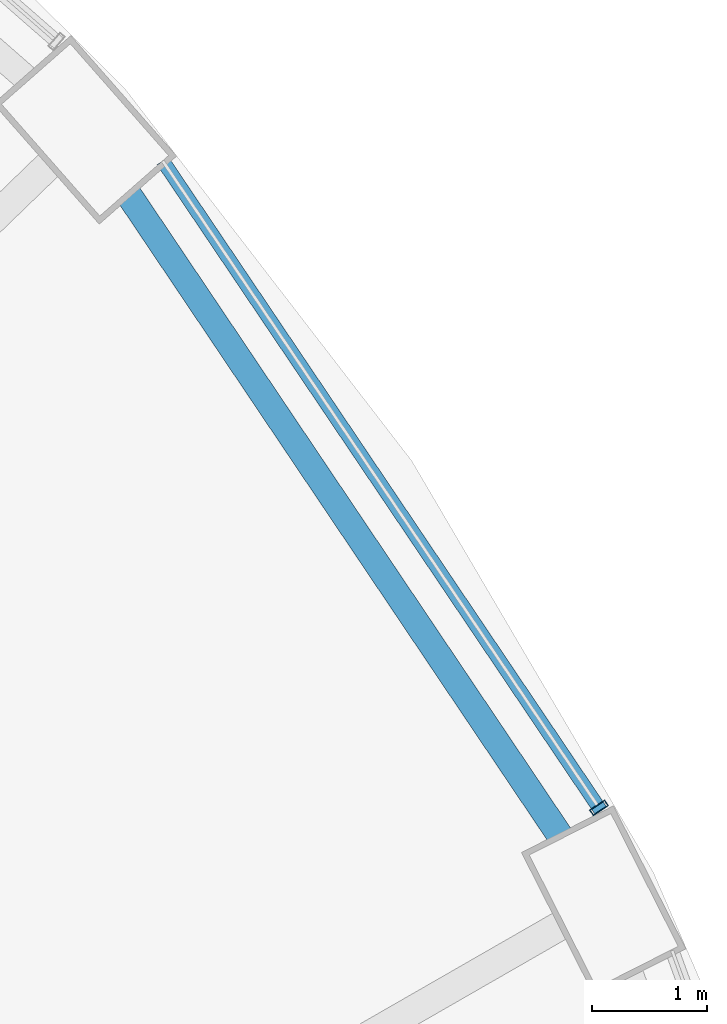
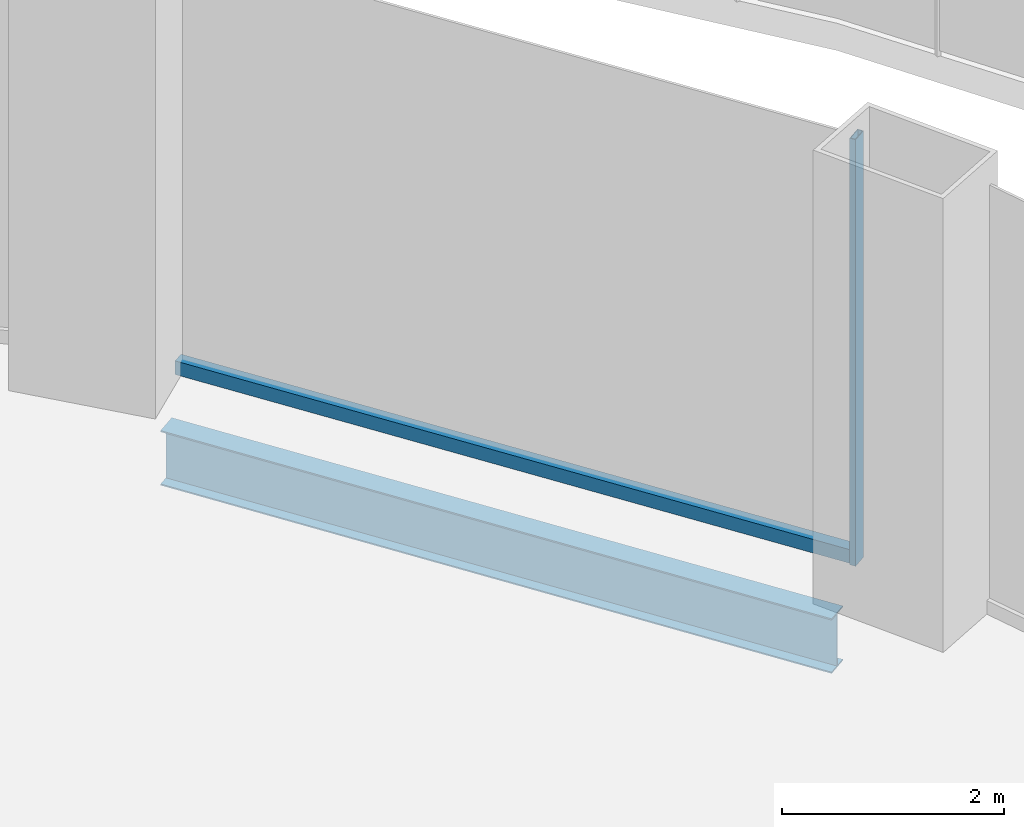
# One storey, part 23 of 47: 2 members, 1 beam, 1 element without a shape of its own.
"""IFC4 building model written with IfcOpenShell, lengths in metres."""

from ifc_helpers import new_model, si_unit, direction, frame, origin, origin_2d, place, context, subcontext, project, spatial, hollow_rectangle, i_section, extrude, material, layer, layer_set, material_profile, profile_set, type_object, element, aggregate, save


model = new_model("IFC4")

# Units and contexts
model_context = context("Model", 3, precision=1e-05, world=origin(), true_north=direction((0.0, 1.0)))
body_context = subcontext(model_context, "Body", "Model", "MODEL_VIEW")
ifc_project = project(units=[si_unit("LENGTHUNIT", "METRE"), si_unit("AREAUNIT", "SQUARE_METRE"), si_unit("VOLUMEUNIT", "CUBIC_METRE"), si_unit("PLANEANGLEUNIT", "RADIAN"), si_unit("MASSUNIT", "GRAM", prefix="KILO")], contexts=[model_context])

# Site, building, storey
site_placement = place(None, origin())
site = spatial("IfcSite", under=ifc_project, at=site_placement, CompositionType="ELEMENT")
building_placement = place(site_placement, origin())
building = spatial("IfcBuilding", under=site, at=building_placement, Name="Nagisa Residences", CompositionType="ELEMENT")
storey_placement = place(building_placement, frame((0.0, 0.0, 17.0)))
storey = spatial("IfcBuildingStorey", under=building, at=storey_placement, Name="L03", CompositionType="ELEMENT", Elevation=17.0)

# Curtain wall, members
ifc_material_1 = material(Name="Stainless steel curtain wall system", Category="steel")
ifc_layer = layer(ifc_material_1, 0.159912109375)
ifc_layer_set = layer_set([ifc_layer], Name="CW6 CURTAIN WALL")
curtain_wall_type = type_object("IfcCurtainWallType", Name="CW6 CURTAIN WALL", PredefinedType="NOTDEFINED", material=ifc_layer_set)
curtain_wall_placement = place(storey_placement, origin())
curtain_wall = element("IfcCurtainWall", 1, at=curtain_wall_placement, inside=storey, type_object=curtain_wall_type, Name="cw:CW6:L03:04", PredefinedType="NOTDEFINED")
ifc_material_2 = material(Name="Stainless steel", Category="steel")
ifc_material_profile_1 = material_profile(ifc_material_2, hollow_rectangle(XDim=0.159912109375, YDim=0.06005859375, WallThickness=0.006103515625, at=origin_2d()), Name="CW6 MULLION 160x60")
ifc_profile_set_1 = profile_set([ifc_material_profile_1], Name="Stainless steel")
member_type_1 = type_object("IfcMemberType", Name="CW6 MULLION 160x60", PredefinedType="MULLION", material=ifc_profile_set_1)
member_1_placement = place(storey_placement, frame((28.240234375, 17.060546875, 0.0), z_axis=(0.0, 0.0, 1.0), x_axis=(-0.829110926393, -0.559084136544, 0.0)))
member_1 = element("IfcMember", 2, at=member_1_placement, type_object=member_type_1, Name="CW6 mullion", PredefinedType="MULLION", context=body_context, shape_type="SweptSolid", body=[
    extrude(hollow_rectangle(XDim=0.159912109375, YDim=0.06005859375, WallThickness=0.006103515625, at=origin_2d()), origin(), (0.0, 0.0, 1.0), 4.699951171875),
])
ifc_material_3 = material(Name="Stainless steel", Category="steel")
ifc_material_profile_2 = material_profile(ifc_material_3, hollow_rectangle(XDim=0.1201171875, YDim=0.14990234375, WallThickness=0.008056640625, at=origin_2d()), Name="CW6 TRANSOM 120x150")
ifc_profile_set_2 = profile_set([ifc_material_profile_2], Name="Stainless steel")
member_type_2 = type_object("IfcMemberType", Name="CW6 TRANSOM 120x150", PredefinedType="USERDEFINED", material=ifc_profile_set_2)
member_2_placement = place(storey_placement, frame((28.257080078125, 17.03564453125, 0.074951171875), z_axis=(-0.559080645991, 0.829113280124, 0.0), x_axis=(-0.829113280124, -0.559080645991, 0.0)))
member_2 = element("IfcMember", 3, at=member_2_placement, type_object=member_type_2, Name="CW6 transom", ObjectType="TRANSOM", PredefinedType="USERDEFINED", context=body_context, shape_type="SweptSolid", body=[
    extrude(hollow_rectangle(XDim=0.1201171875, YDim=0.14990234375, WallThickness=0.008056640625, at=origin_2d()), origin(), (0.0, 0.0, 1.0), 6.84326171875),
])
aggregate(curtain_wall, [member_1, member_2])

# Beam
ifc_material_4 = material(Name="Steel ASTM A572 Gr 50", Category="steel")
ifc_material_profile_3 = material_profile(ifc_material_4, i_section(OverallWidth=0.22802734375, OverallDepth=0.60302734375, WebThickness=0.010498046875, FlangeThickness=0.014892578125, at=origin_2d()), Name="W610x101")
ifc_profile_set_3 = profile_set([ifc_material_profile_3], Name="Steel ASTM A572 Gr 50")
beam_type = type_object("IfcBeamType", Name="Perimeter ring beam W610x101", PredefinedType="BEAM", material=ifc_profile_set_3)
beam_placement = place(storey_placement, frame((27.899169921875, 16.818603515625, -0.6015625), z_axis=(-0.558271879663, 0.829658067144, 0.0), x_axis=(-0.829658067144, -0.558271879663, 0.0)))
element("IfcBeam", 4, at=beam_placement, inside=storey, type_object=beam_type, Name="beam:L03:pb03", PredefinedType="BEAM", context=body_context, shape_type="SweptSolid", body=[
    extrude(i_section(OverallWidth=0.22802734375, OverallDepth=0.60302734375, WebThickness=0.010498046875, FlangeThickness=0.014892578125, at=origin_2d()), origin(), (0.0, 0.0, 1.0), 6.74169921875),
])

save(model, "model.ifc")
